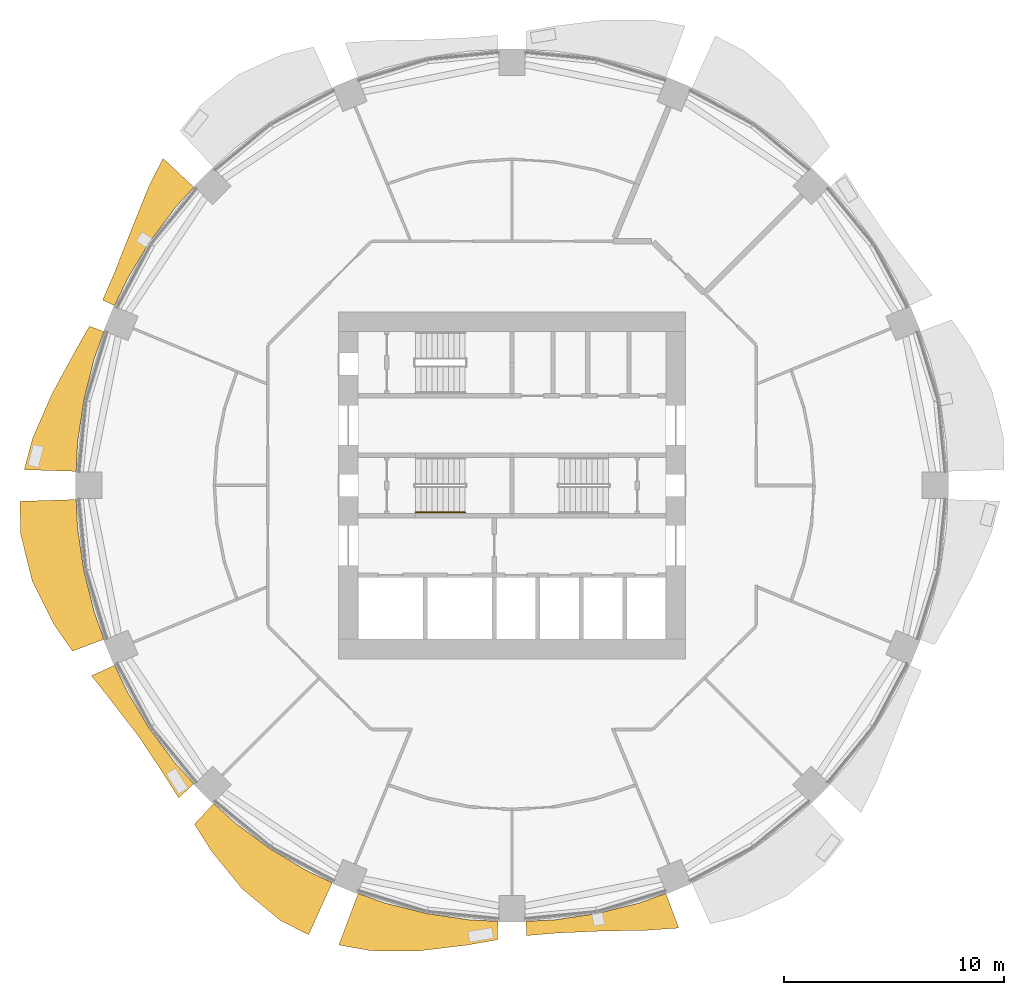
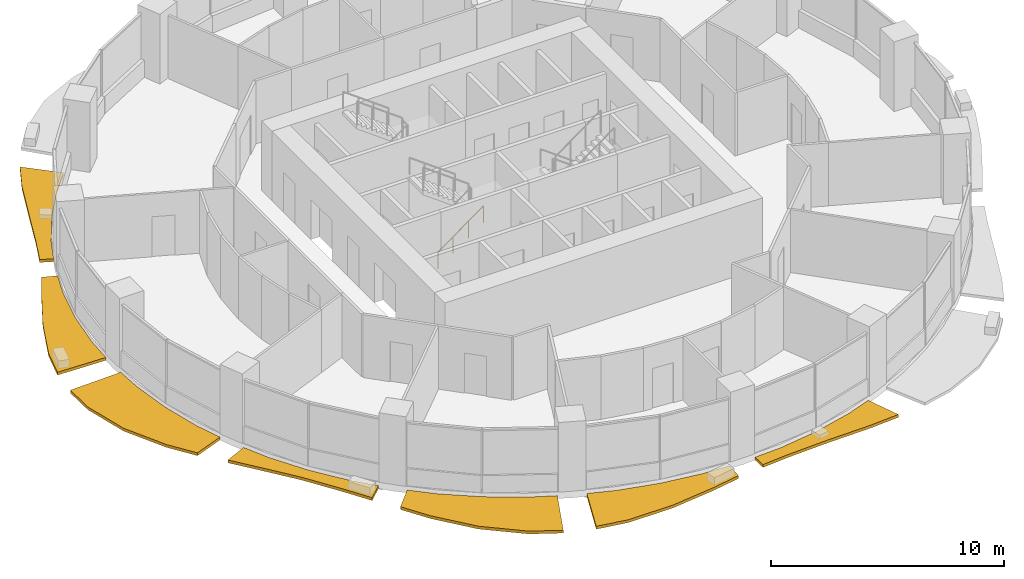
# One storey, part 12 of 15: 7 shading devices, 1 railing.
"""IFC4 building model written with IfcOpenShell, lengths in metres."""

from ifc_helpers import new_model, si_unit, direction, frame, origin, origin_2d, place, context, subcontext, project, spatial, polyline, circle, outline, extrude, material, type_object, element, save


model = new_model("IFC4")

# Units and contexts
model_context = context("Model", 3, precision=1e-05, world=origin(), true_north=direction((0.0, 1.0)))
body_context = subcontext(model_context, "Body", "Model", "MODEL_VIEW")
ifc_project = project(units=[si_unit("LENGTHUNIT", "METRE"), si_unit("AREAUNIT", "SQUARE_METRE"), si_unit("VOLUMEUNIT", "CUBIC_METRE"), si_unit("PLANEANGLEUNIT", "RADIAN"), si_unit("MASSUNIT", "GRAM", prefix="KILO")], contexts=[model_context])

# Site, building, storey
site_placement = place(None, origin())
site = spatial("IfcSite", under=ifc_project, at=site_placement, CompositionType="ELEMENT")
building_placement = place(site_placement, origin())
building = spatial("IfcBuilding", under=site, at=building_placement, Name="Polderwave Tower", CompositionType="ELEMENT")
storey_placement = place(building_placement, frame((0.0, 0.0, 26.199951171875)))
storey = spatial("IfcBuildingStorey", under=building, at=storey_placement, Name="L06", CompositionType="ELEMENT", Elevation=26.199951171875)

# Railing
ifc_material_1 = material(Name="Stainless steel", Category="steel")
railing_type = type_object("IfcRailingType", Name="Stair handrail 900", PredefinedType="HANDRAIL", material=ifc_material_1)
railing_placement = place(storey_placement, frame((-4.3740234375, -1.22509765625, 0.1826171875)))
element("IfcRailing", 1, at=railing_placement, inside=storey, type_object=railing_type, Name="L06 ST-A stair handrail 1", PredefinedType="HANDRAIL", context=body_context, shape_type="SweptSolid", body=[
    extrude(circle(Radius=0.02392578125, at=origin_2d()), frame((0.0, 0.0, 0.8759765625), z_axis=(0.807715371301, 0.0, 0.589572623995), x_axis=(0.0, 1.0, 0.0)), (0.0, 0.0, 1.0), 2.78564453125),
    extrude(circle(Radius=0.02099609375, at=origin_2d()), origin(), (0.0, 0.0, 1.0), 0.851806640625),
    extrude(circle(Radius=0.02099609375, at=origin_2d()), frame((0.75, 0.0, 0.54736328125)), (0.0, 0.0, 1.0), 0.851806640625),
    extrude(circle(Radius=0.02099609375, at=origin_2d()), frame((1.5, 0.0, 1.094970703125)), (0.0, 0.0, 1.0), 0.851806640625),
    extrude(circle(Radius=0.02099609375, at=origin_2d()), frame((2.25, 0.0, 1.642333984375)), (0.0, 0.0, 1.0), 0.851806640625),
])

# Shading devices
ifc_material_2 = material(Name="Terracotta", Category="masonry")
shading_device_type = type_object("IfcShadingDeviceType", Name="Terracotta sunshade band", PredefinedType="USERDEFINED", material=ifc_material_2)
shading_device_1_placement = place(storey_placement, frame((0.0, 0.0, -0.349853515625)))
element("IfcShadingDevice", 2, at=shading_device_1_placement, inside=storey, type_object=shading_device_type, Name="Sunshade band L06 7", ObjectType="SUNSHADE", PredefinedType="USERDEFINED", context=body_context, shape_type="SweptSolid", body=[
    extrude(outline(polyline([(-14.429443359375, 13.527587890625), (-15.3056640625, 12.56103515625), (-16.463134765625, 11.000244140625), (-17.4619140625, 9.333740234375), (-18.019775390625, 8.154296875), (-18.569091796875, 8.40283203125), (-18.0361328125, 9.640380859375), (-17.282958984375, 11.548095703125), (-16.48681640625, 13.530517578125), (-15.82861328125, 14.83935546875), (-14.429443359375, 13.527587890625)])), origin(), (0.0, 0.0, 1.0), 0.14990234375),
])
shading_device_2_placement = place(storey_placement, frame((0.0, 0.0, -0.349853515625)))
element("IfcShadingDevice", 3, at=shading_device_2_placement, inside=storey, type_object=shading_device_type, Name="Sunshade band L06 8", ObjectType="SUNSHADE", PredefinedType="USERDEFINED", context=body_context, shape_type="SweptSolid", body=[
    extrude(outline(polyline([(-18.5078125, 6.97607421875), (-18.947509765625, 5.74755859375), (-19.41943359375, 3.86279296875), (-19.70458984375, 1.940673828125), (-19.768798828125, 0.6376953125), (-22.12548828125, 0.713623046875), (-21.742919921875, 2.1416015625), (-20.8671875, 4.150634765625), (-19.852294921875, 6.022216796875), (-19.16748046875, 7.224609375), (-18.5078125, 6.97607421875)])), origin(), (0.0, 0.0, 1.0), 0.14990234375),
])
shading_device_3_placement = place(storey_placement, frame((0.0, 0.0, -0.349853515625)))
element("IfcShadingDevice", 4, at=shading_device_3_placement, inside=storey, type_object=shading_device_type, Name="Sunshade band L06 9", ObjectType="SUNSHADE", PredefinedType="USERDEFINED", context=body_context, shape_type="SweptSolid", body=[
    extrude(outline(polyline([(-19.768798828125, -0.6376953125), (-19.70458984375, -1.940673828125), (-19.41943359375, -3.86279296875), (-18.947509765625, -5.74755859375), (-18.5078125, -6.97607421875), (-19.93505859375, -7.513916015625), (-20.7802734375, -6.3037109375), (-21.762939453125, -4.328857421875), (-22.28955078125, -2.1953125), (-22.3154296875, -0.719970703125), (-19.768798828125, -0.6376953125)])), origin(), (0.0, 0.0, 1.0), 0.14990234375),
])
shading_device_4_placement = place(storey_placement, frame((0.0, 0.0, -0.349853515625)))
element("IfcShadingDevice", 5, at=shading_device_4_placement, inside=storey, type_object=shading_device_type, Name="Sunshade band L06 10", ObjectType="SUNSHADE", PredefinedType="USERDEFINED", context=body_context, shape_type="SweptSolid", body=[
    extrude(outline(polyline([(-18.019775390625, -8.154296875), (-17.4619140625, -9.333740234375), (-16.463134765625, -11.000244140625), (-15.3056640625, -12.56103515625), (-14.429443359375, -13.527587890625), (-15.120849609375, -14.17578125), (-15.851318359375, -13.0087890625), (-16.968505859375, -11.337890625), (-18.206298828125, -9.7314453125), (-19.071533203125, -8.630126953125), (-18.019775390625, -8.154296875)])), origin(), (0.0, 0.0, 1.0), 0.14990234375),
])
shading_device_5_placement = place(storey_placement, frame((0.0, 0.0, -0.349853515625)))
element("IfcShadingDevice", 6, at=shading_device_5_placement, inside=storey, type_object=shading_device_type, Name="Sunshade band L06 11", ObjectType="SUNSHADE", PredefinedType="USERDEFINED", context=body_context, shape_type="SweptSolid", body=[
    extrude(outline(polyline([(-13.527587890625, -14.429443359375), (-12.56103515625, -15.3056640625), (-11.000244140625, -16.463134765625), (-9.333740234375, -17.4619140625), (-8.154296875, -18.019775390625), (-9.22509765625, -20.385986328125), (-10.53515625, -19.710205078125), (-12.230224609375, -18.303955078125), (-13.62158203125, -16.597900390625), (-14.404541015625, -15.36474609375), (-13.527587890625, -14.429443359375)])), origin(), (0.0, 0.0, 1.0), 0.14990234375),
])
shading_device_6_placement = place(storey_placement, frame((0.0, 0.0, -0.349853515625)))
element("IfcShadingDevice", 7, at=shading_device_6_placement, inside=storey, type_object=shading_device_type, Name="Sunshade band L06 12", ObjectType="SUNSHADE", PredefinedType="USERDEFINED", context=body_context, shape_type="SweptSolid", body=[
    extrude(outline(polyline([(-6.97607421875, -18.5078125), (-5.74755859375, -18.947509765625), (-3.86279296875, -19.41943359375), (-1.940673828125, -19.70458984375), (-0.6376953125, -19.768798828125), (-0.664794921875, -20.610107421875), (-2.0537109375, -20.85107421875), (-4.19921875, -21.110595703125), (-6.402099609375, -21.104736328125), (-7.856201171875, -20.8427734375), (-6.97607421875, -18.5078125)])), origin(), (0.0, 0.0, 1.0), 0.14990234375),
])
shading_device_7_placement = place(storey_placement, frame((0.0, 0.0, -0.349853515625)))
element("IfcShadingDevice", 8, at=shading_device_7_placement, inside=storey, type_object=shading_device_type, Name="Sunshade band L06 13", ObjectType="SUNSHADE", PredefinedType="USERDEFINED", context=body_context, shape_type="SweptSolid", body=[
    extrude(outline(polyline([(0.6376953125, -19.768798828125), (1.940673828125, -19.70458984375), (3.86279296875, -19.41943359375), (5.74755859375, -18.947509765625), (6.97607421875, -18.5078125), (7.566650390625, -20.074951171875), (6.12060546875, -20.1767578125), (4.02099609375, -20.214599609375), (1.999755859375, -20.30419921875), (0.65869140625, -20.420166015625), (0.6376953125, -19.768798828125)])), origin(), (0.0, 0.0, 1.0), 0.14990234375),
])

save(model, "model.ifc")
